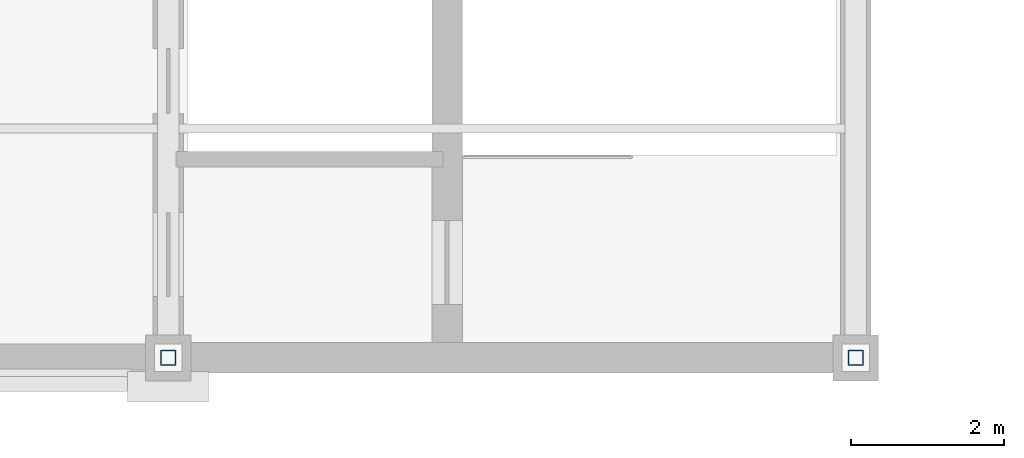
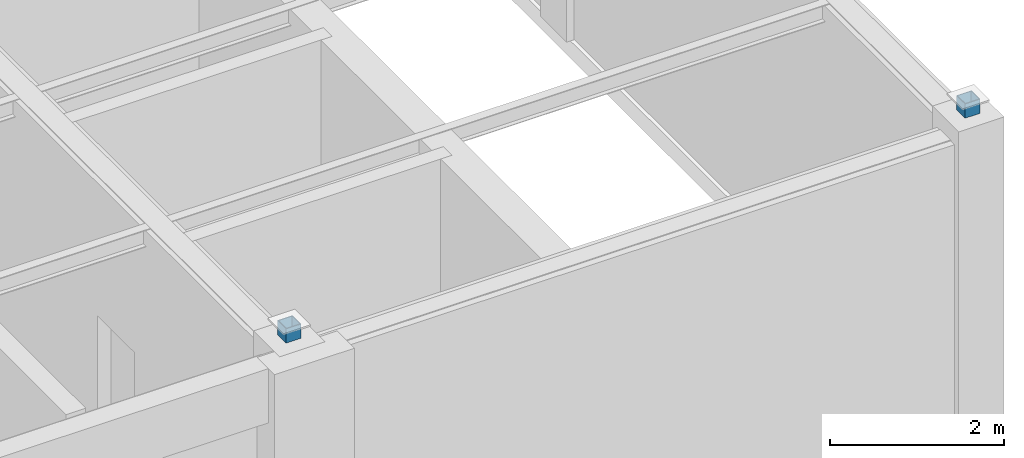
# One storey, part 66 of 97: 2 members.
"""IFC4 building model written with IfcOpenShell, lengths in metres."""

from ifc_helpers import new_model, si_unit, direction, frame, origin, origin_2d, place, context, subcontext, project, spatial, hollow_rectangle, extrude, material, material_profile, profile_set, type_object, element, save


model = new_model("IFC4")

# Units and contexts
model_context = context("Model", 3, precision=1e-05, world=origin(), true_north=direction((0.0, 1.0)))
body_context = subcontext(model_context, "Body", "Model", "MODEL_VIEW")
ifc_project = project(units=[si_unit("LENGTHUNIT", "METRE"), si_unit("AREAUNIT", "SQUARE_METRE"), si_unit("VOLUMEUNIT", "CUBIC_METRE"), si_unit("PLANEANGLEUNIT", "RADIAN"), si_unit("MASSUNIT", "GRAM", prefix="KILO")], contexts=[model_context])

# Site, building, storey
site_placement = place(None, origin())
site = spatial("IfcSite", under=ifc_project, at=site_placement, CompositionType="ELEMENT")
building_placement = place(site_placement, origin())
building = spatial("IfcBuilding", under=site, at=building_placement, Name="Lykobir Media Centre", CompositionType="ELEMENT")
storey_placement = place(building_placement, frame((0.0, 0.0, 23.39990234375)))
storey = spatial("IfcBuildingStorey", under=building, at=storey_placement, Name="L05", CompositionType="ELEMENT", Elevation=23.39990234375)

# Members
ifc_material = material(Name="Steel S355", Category="steel")
ifc_material_profile = material_profile(ifc_material, hollow_rectangle(XDim=0.199951171875, YDim=0.199951171875, WallThickness=0.010009765625, at=origin_2d()), Name="SHS 200x200x10")
ifc_profile_set = profile_set([ifc_material_profile], Name="Steel S355")
member_type = type_object("IfcMemberType", Name="TC-SHS200", PredefinedType="CHORD", material=ifc_profile_set)
for number, where, z_axis, x_axis, name in (
    (1, (117.0, 0.0, 4.2001953125), (0.0, 0.0, 1.0), (1.0, 0.0, 0.0), "Truss chord MEM2-L05-1170-0000-0276-1170-0000-0015"),
    (2, (126.0, 0.0, 4.2001953125), (0.0, 0.0, 1.0), (1.0, 0.0, 0.0), "Truss chord MEM2-L05-1260-0000-0276-1260-0000-0017"),
):
    element("IfcMember", number, at=place(storey_placement, frame(where, z_axis=z_axis, x_axis=x_axis)), inside=storey, type_object=member_type, Name=name, PredefinedType="CHORD", context=body_context, shape_type="SweptSolid", body=[
        extrude(hollow_rectangle(XDim=0.199951171875, YDim=0.199951171875, WallThickness=0.010009765625, at=origin_2d()), origin(), (0.0, 0.0, 1.0), 0.198974609375),
    ])

save(model, "model.ifc")
